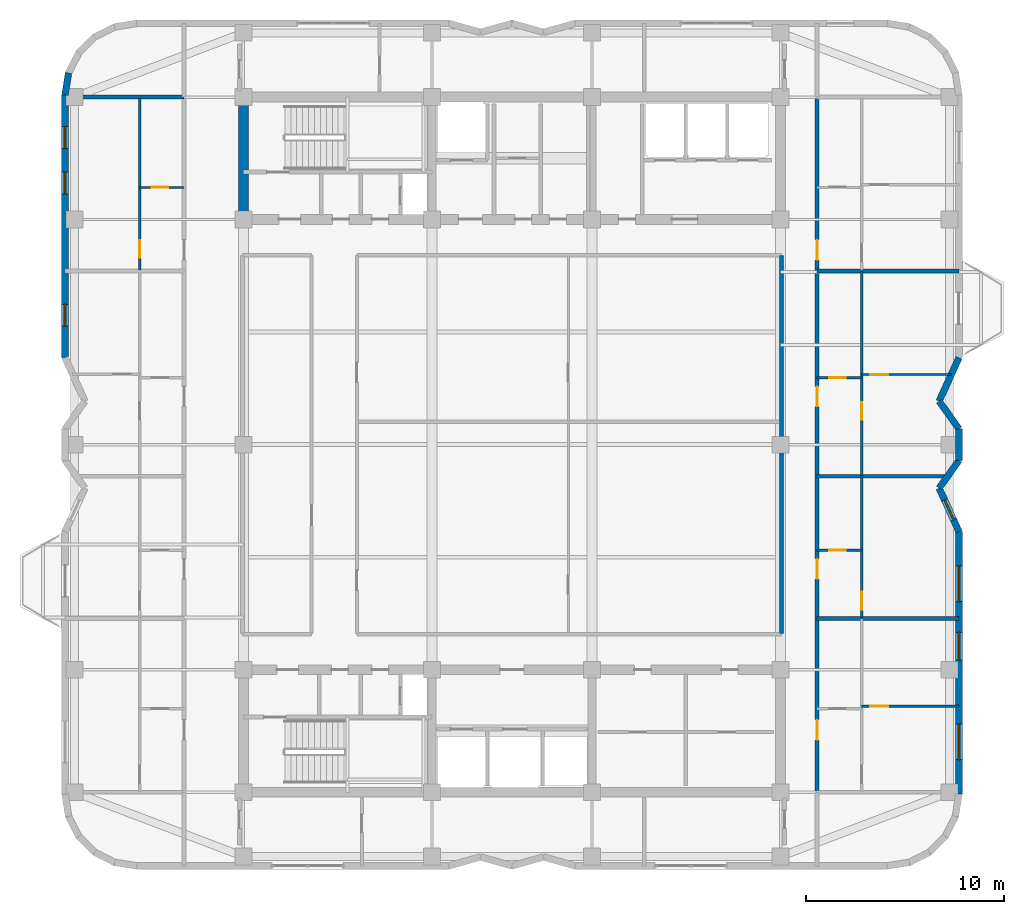
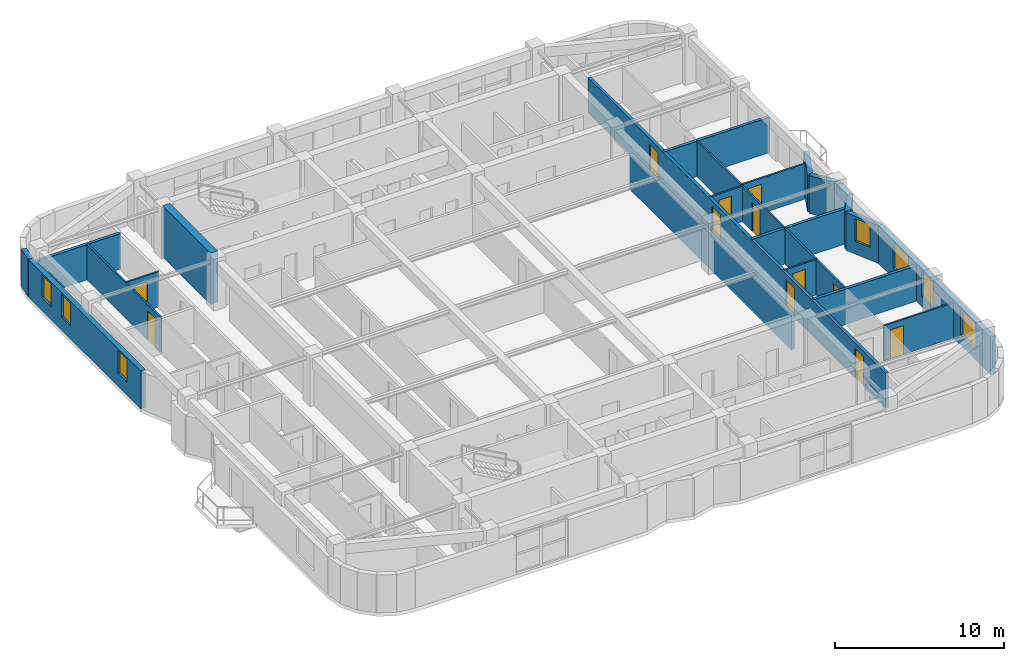
# One storey, part 10 of 14: 23 walls, 12 doors, 7 windows, 19 openings.
"""IFC4 building model written with IfcOpenShell, lengths in metres."""

from ifc_helpers import new_model, si_unit, direction, frame, frame_2d, origin, place, context, subcontext, project, spatial, rectangle, extrude, material, layer, layer_set, type_object, element, fill, save


model = new_model("IFC4")

# Units and contexts
model_context = context("Model", 3, precision=1e-05, world=origin(), true_north=direction((0.0, 1.0)))
body_context = subcontext(model_context, "Body", "Model", "MODEL_VIEW")
ifc_project = project(units=[si_unit("LENGTHUNIT", "METRE"), si_unit("AREAUNIT", "SQUARE_METRE"), si_unit("VOLUMEUNIT", "CUBIC_METRE"), si_unit("PLANEANGLEUNIT", "RADIAN"), si_unit("MASSUNIT", "GRAM", prefix="KILO")], contexts=[model_context])

# Site, building, storey
site_placement = place(None, origin())
site = spatial("IfcSite", under=ifc_project, at=site_placement, CompositionType="ELEMENT")
building_placement = place(site_placement, origin())
building = spatial("IfcBuilding", under=site, at=building_placement, Name="Svetorya Sky Lyceum", CompositionType="ELEMENT")
storey_placement = place(building_placement, frame((0.0, 0.0, 218.39990234375)))
storey = spatial("IfcBuildingStorey", under=building, at=storey_placement, Name="L54", CompositionType="ELEMENT", Elevation=218.39990234375)

# Wall
ifc_material_1 = material(Name="Concrete C50/60", Category="concrete")
ifc_layer_1 = layer(ifc_material_1, 0.5)
ifc_layer_set_1 = layer_set([ifc_layer_1], Name="Concrete C50/60")
wall_type_1 = type_object("IfcWallType", Name="WL-CORE-500", PredefinedType="SHEAR", material=ifc_layer_set_1)
wall_1_placement = place(storey_placement, frame((25.60009765625, 39.85009765625, 0.0), z_axis=(0.0, 0.0, 1.0), x_axis=(0.0, 1.0, 0.0)))
element("IfcWall", 1, at=wall_1_placement, inside=storey, type_object=wall_type_1, Name="L54 NC West Core Shear Wall", PredefinedType="SHEAR", context=body_context, shape_type="SweptSolid", body=[
    extrude(rectangle(XDim=5.699951171875, YDim=0.5, at=frame_2d((2.85009765625, 0.0))), origin(), (0.0, 0.0, 1.0), 3.7001953125),
])

# Wall, openings, windows
ifc_material_2 = material(Name="Putilovo limestone rainscreen on autoclaved cellular masonry", Category="masonry")
ifc_layer_2 = layer(ifc_material_2, 0.340087890625)
ifc_layer_set_2 = layer_set([ifc_layer_2], Name="Putilovo limestone rainscreen on autoclaved cellular masonry")
wall_type_2 = type_object("IfcWallType", Name="WL-EXT-340", PredefinedType="SOLIDWALL", material=ifc_layer_set_2)
wall_2_placement = place(storey_placement, frame((61.830078125, 10.5, 0.0), z_axis=(0.0, 0.0, 1.0), x_axis=(0.0, 1.0, 0.0)))
wall_2 = element("IfcWall", 2, at=wall_2_placement, inside=storey, type_object=wall_type_2, Name="L54 Limestone Exterior Wall 17M", PredefinedType="SOLIDWALL", context=body_context, shape_type="SweptSolid", body=[
    extrude(rectangle(XDim=13.300048828125, YDim=0.340087890625, at=frame_2d((6.64990234375, 0.0))), origin(), (0.0, 0.0, 1.0), 2.72021484375),
])
opening_1_placement = place(wall_2_placement, frame((1.75, 0.0, 0.75)))
opening_1 = element("IfcOpeningElement", 3, at=opening_1_placement, cuts=wall_2, Name="Opening W-R1", PredefinedType="OPENING", context=body_context, shape_type="SweptSolid", body=[
    extrude(rectangle(XDim=1.800048828125, YDim=1.85009765625, at=frame_2d((0.89990234375, 0.925048828125))), frame((0.0, 0.179931640625, 0.0), z_axis=(0.0, -1.0, 0.0), x_axis=(1.0, 0.0, 0.0)), (0.0, 0.0, 1.0), 0.360107421875),
])
opening_2_placement = place(wall_2_placement, frame((6.800048828125, 0.0, 0.7099609375)))
opening_2 = element("IfcOpeningElement", 4, at=opening_2_placement, cuts=wall_2, Name="Opening W-R2", PredefinedType="OPENING", context=body_context, shape_type="SweptSolid", body=[
    extrude(rectangle(XDim=1.39990234375, YDim=1.85009765625, at=frame_2d((0.699951171875, 0.925048828125))), frame((0.0, 0.179931640625, 0.0), z_axis=(0.0, -1.0, 0.0), x_axis=(1.0, 0.0, 0.0)), (0.0, 0.0, 1.0), 0.360107421875),
])
opening_3_placement = place(wall_2_placement, frame((9.75, 0.0, 0.75)))
opening_3 = element("IfcOpeningElement", 5, at=opening_3_placement, cuts=wall_2, Name="Opening W-R1", PredefinedType="OPENING", context=body_context, shape_type="SweptSolid", body=[
    extrude(rectangle(XDim=1.800048828125, YDim=1.85009765625, at=frame_2d((0.89990234375, 0.925048828125))), frame((0.0, 0.179931640625, 0.0), z_axis=(0.0, -1.0, 0.0), x_axis=(1.0, 0.0, 0.0)), (0.0, 0.0, 1.0), 0.360107421875),
])
ifc_material_3 = material(Name="Thermally broken aluminium frame with triple low-E glazing", Category="aluminium")
window_type_1 = type_object("IfcWindowType", Name="WN-RES-140", PartitioningType="SINGLE_PANEL", PredefinedType="WINDOW", material=ifc_material_3)
window_1_placement = place(opening_2_placement, origin())
window_1 = element("IfcWindow", 6, at=window_1_placement, inside=storey, type_object=window_type_1, Name="L54 Facade Window W-R2.17M.3", OverallHeight=1.85009765625, OverallWidth=1.39990234375, PartitioningType="SINGLE_PANEL", PredefinedType="WINDOW", context=body_context, shape_type="SweptSolid", body=[
    extrude(rectangle(XDim=1.39990234375, YDim=1.85009765625, at=frame_2d((0.699951171875, 0.925048828125))), frame((0.0, 0.030029296875, 0.0), z_axis=(0.0, -1.0, 0.0), x_axis=(1.0, 0.0, 0.0)), (0.0, 0.0, 1.0), 0.06005859375),
])
fill(opening_2, window_1)
window_type_2 = type_object("IfcWindowType", Name="WN-RES-180", PartitioningType="DOUBLE_PANEL_VERTICAL", PredefinedType="WINDOW", material=ifc_material_3)
window_2_placement = place(opening_1_placement, origin())
window_2 = element("IfcWindow", 7, at=window_2_placement, inside=storey, type_object=window_type_2, Name="L54 Facade Window W-R1.17M.1", OverallHeight=1.85009765625, OverallWidth=1.800048828125, PartitioningType="SINGLE_PANEL", PredefinedType="WINDOW", context=body_context, shape_type="SweptSolid", body=[
    extrude(rectangle(XDim=1.800048828125, YDim=1.85009765625, at=frame_2d((0.89990234375, 0.925048828125))), frame((0.0, 0.030029296875, 0.0), z_axis=(0.0, -1.0, 0.0), x_axis=(1.0, 0.0, 0.0)), (0.0, 0.0, 1.0), 0.06005859375),
])
fill(opening_1, window_2)
window_3_placement = place(opening_3_placement, origin())
window_3 = element("IfcWindow", 8, at=window_3_placement, inside=storey, type_object=window_type_2, Name="L54 Facade Window W-R1.17M.2", OverallHeight=1.85009765625, OverallWidth=1.800048828125, PartitioningType="SINGLE_PANEL", PredefinedType="WINDOW", context=body_context, shape_type="SweptSolid", body=[
    extrude(rectangle(XDim=1.800048828125, YDim=1.85009765625, at=frame_2d((0.89990234375, 0.925048828125))), frame((0.0, 0.030029296875, 0.0), z_axis=(0.0, -1.0, 0.0), x_axis=(1.0, 0.0, 0.0)), (0.0, 0.0, 1.0), 0.06005859375),
])
fill(opening_3, window_3)

# Wall, opening, window
wall_3_placement = place(storey_placement, frame((61.830078125, 23.800048828125, 0.0), z_axis=(0.0, 0.0, 1.0), x_axis=(-0.413810555983, 0.910363017569, 0.0)))
wall_3 = element("IfcWall", 9, at=wall_3_placement, inside=storey, type_object=wall_type_2, Name="L54 Limestone Exterior Wall 18M", PredefinedType="SOLIDWALL", context=body_context, shape_type="SweptSolid", body=[
    extrude(rectangle(XDim=2.41650390625, YDim=0.340087890625, at=frame_2d((1.208251953125, 0.0))), origin(), (0.0, 0.0, 1.0), 2.72021484375),
])
opening_4_placement = place(wall_3_placement, frame((0.658203125, 0.0, 0.909912109375)))
opening_4 = element("IfcOpeningElement", 10, at=opening_4_placement, cuts=wall_3, Name="Opening W-R3", PredefinedType="OPENING", context=body_context, shape_type="SweptSolid", body=[
    extrude(rectangle(XDim=1.10009765625, YDim=1.64990234375, at=frame_2d((0.550048828125, 0.824951171875))), frame((0.0, 0.179931640625, 0.0), z_axis=(0.0, -1.0, 0.0), x_axis=(1.0, 0.0, 0.0)), (0.0, 0.0, 1.0), 0.360107421875),
])
window_type_3 = type_object("IfcWindowType", Name="WN-RES-110", PartitioningType="SINGLE_PANEL", PredefinedType="WINDOW", material=ifc_material_3)
window_4_placement = place(opening_4_placement, origin())
window_4 = element("IfcWindow", 11, at=window_4_placement, inside=storey, type_object=window_type_3, Name="L54 Facade Window W-R3.18M.1", OverallHeight=1.64990234375, OverallWidth=1.10009765625, PartitioningType="SINGLE_PANEL", PredefinedType="WINDOW", context=body_context, shape_type="SweptSolid", body=[
    extrude(rectangle(XDim=1.10009765625, YDim=1.64990234375, at=frame_2d((0.550048828125, 0.824951171875))), frame((0.0, 0.030029296875, 0.0), z_axis=(0.0, -1.0, 0.0), x_axis=(1.0, 0.0, 0.0)), (0.0, 0.0, 1.0), 0.06005859375),
])
fill(opening_4, window_4)

# Walls
wall_4_placement = place(storey_placement, frame((60.830078125, 26.0, 0.0), z_axis=(0.0, 0.0, 1.0), x_axis=(0.581265041318, 0.813714293681, 0.0)))
element("IfcWall", 12, at=wall_4_placement, inside=storey, type_object=wall_type_2, Name="L54 Limestone Exterior Wall 19M", PredefinedType="SOLIDWALL", context=body_context, shape_type="SweptSolid", body=[
    extrude(rectangle(XDim=1.720458984375, YDim=0.340087890625, at=frame_2d((0.8603515625, 0.0))), origin(), (0.0, 0.0, 1.0), 2.72021484375),
])
wall_5_placement = place(storey_placement, frame((61.830078125, 27.39990234375, 0.0), z_axis=(0.0, 0.0, 1.0), x_axis=(0.0, 1.0, 0.0)))
element("IfcWall", 13, at=wall_5_placement, inside=storey, type_object=wall_type_2, Name="L54 Limestone Exterior Wall 20M", PredefinedType="SOLIDWALL", context=body_context, shape_type="SweptSolid", body=[
    extrude(rectangle(XDim=1.60009765625, YDim=0.340087890625, at=frame_2d((0.800048828125, 0.0))), origin(), (0.0, 0.0, 1.0), 2.72021484375),
])
wall_6_placement = place(storey_placement, frame((61.830078125, 29.0, 0.0), z_axis=(0.0, 0.0, 1.0), x_axis=(-0.581265041318, 0.813714293681, 0.0)))
element("IfcWall", 14, at=wall_6_placement, inside=storey, type_object=wall_type_2, Name="L54 Limestone Exterior Wall 21M", PredefinedType="SOLIDWALL", context=body_context, shape_type="SweptSolid", body=[
    extrude(rectangle(XDim=1.720458984375, YDim=0.340087890625, at=frame_2d((0.8603515625, 0.0))), origin(), (0.0, 0.0, 1.0), 2.72021484375),
])
wall_7_placement = place(storey_placement, frame((60.830078125, 30.39990234375, 0.0), z_axis=(0.0, 0.0, 1.0), x_axis=(0.413772500085, 0.910380315128, 0.0)))
element("IfcWall", 15, at=wall_7_placement, inside=storey, type_object=wall_type_2, Name="L54 Limestone Exterior Wall 22M", PredefinedType="SOLIDWALL", context=body_context, shape_type="SweptSolid", body=[
    extrude(rectangle(XDim=2.416748046875, YDim=0.340087890625, at=frame_2d((1.20849609375, 0.0))), origin(), (0.0, 0.0, 1.0), 2.72021484375),
])
wall_8_placement = place(storey_placement, frame((16.747802734375, 47.021728515625, 0.0), z_axis=(0.0, 0.0, 1.0), x_axis=(-0.156481329164, -0.987680916907, 0.0)))
element("IfcWall", 16, at=wall_8_placement, inside=storey, type_object=wall_type_2, Name="L54 Limestone Exterior Wall 39M", PredefinedType="SOLIDWALL", context=body_context, shape_type="SweptSolid", body=[
    extrude(rectangle(XDim=1.1357421875, YDim=0.340087890625, at=frame_2d((0.56787109375, 0.0))), origin(), (0.0, 0.0, 1.0), 2.72021484375),
])

# Wall, openings, windows
wall_9_placement = place(storey_placement, frame((16.570068359375, 45.89990234375, 0.0), z_axis=(0.0, 0.0, 1.0), x_axis=(0.0, -1.0, 0.0)))
wall_9 = element("IfcWall", 17, at=wall_9_placement, inside=storey, type_object=wall_type_2, Name="L54 Limestone Exterior Wall 40M", PredefinedType="SOLIDWALL", context=body_context, shape_type="SweptSolid", body=[
    extrude(rectangle(XDim=13.2998046875, YDim=0.340087890625, at=frame_2d((6.64990234375, 0.0))), origin(), (0.0, 0.0, 1.0), 2.72021484375),
])
opening_5_placement = place(wall_9_placement, frame((1.60009765625, 0.0, 0.949951171875)))
opening_5 = element("IfcOpeningElement", 18, at=opening_5_placement, cuts=wall_9, Name="Opening W-R3", PredefinedType="OPENING", context=body_context, shape_type="SweptSolid", body=[
    extrude(rectangle(XDim=1.10009765625, YDim=1.64990234375, at=frame_2d((0.550048828125, 0.824951171875))), frame((0.0, 0.179931640625, 0.0), z_axis=(0.0, -1.0, 0.0), x_axis=(1.0, 0.0, 0.0)), (0.0, 0.0, 1.0), 0.360107421875),
])
opening_6_placement = place(wall_9_placement, frame((3.89990234375, 0.0, 0.949951171875)))
opening_6 = element("IfcOpeningElement", 19, at=opening_6_placement, cuts=wall_9, Name="Opening W-R3", PredefinedType="OPENING", context=body_context, shape_type="SweptSolid", body=[
    extrude(rectangle(XDim=1.10009765625, YDim=1.64990234375, at=frame_2d((0.550048828125, 0.824951171875))), frame((0.0, 0.179931640625, 0.0), z_axis=(0.0, -1.0, 0.0), x_axis=(1.0, 0.0, 0.0)), (0.0, 0.0, 1.0), 0.360107421875),
])
opening_7_placement = place(wall_9_placement, frame((10.60009765625, 0.0, 0.949951171875)))
opening_7 = element("IfcOpeningElement", 20, at=opening_7_placement, cuts=wall_9, Name="Opening W-R3", PredefinedType="OPENING", context=body_context, shape_type="SweptSolid", body=[
    extrude(rectangle(XDim=1.10009765625, YDim=1.64990234375, at=frame_2d((0.550048828125, 0.824951171875))), frame((0.0, 0.179931640625, 0.0), z_axis=(0.0, -1.0, 0.0), x_axis=(1.0, 0.0, 0.0)), (0.0, 0.0, 1.0), 0.360107421875),
])
window_5_placement = place(opening_5_placement, origin())
window_5 = element("IfcWindow", 21, at=window_5_placement, inside=storey, type_object=window_type_3, Name="L54 Facade Window W-R3.40M.1", OverallHeight=1.64990234375, OverallWidth=1.10009765625, PartitioningType="SINGLE_PANEL", PredefinedType="WINDOW", context=body_context, shape_type="SweptSolid", body=[
    extrude(rectangle(XDim=1.10009765625, YDim=1.64990234375, at=frame_2d((0.550048828125, 0.824951171875))), frame((0.0, 0.030029296875, 0.0), z_axis=(0.0, -1.0, 0.0), x_axis=(1.0, 0.0, 0.0)), (0.0, 0.0, 1.0), 0.06005859375),
])
fill(opening_5, window_5)
window_6_placement = place(opening_6_placement, origin())
window_6 = element("IfcWindow", 22, at=window_6_placement, inside=storey, type_object=window_type_3, Name="L54 Facade Window W-R3.40M.2", OverallHeight=1.64990234375, OverallWidth=1.10009765625, PartitioningType="SINGLE_PANEL", PredefinedType="WINDOW", context=body_context, shape_type="SweptSolid", body=[
    extrude(rectangle(XDim=1.10009765625, YDim=1.64990234375, at=frame_2d((0.550048828125, 0.824951171875))), frame((0.0, 0.030029296875, 0.0), z_axis=(0.0, -1.0, 0.0), x_axis=(1.0, 0.0, 0.0)), (0.0, 0.0, 1.0), 0.06005859375),
])
fill(opening_6, window_6)
window_7_placement = place(opening_7_placement, origin())
window_7 = element("IfcWindow", 23, at=window_7_placement, inside=storey, type_object=window_type_3, Name="L54 Facade Window W-R3.40M.3", OverallHeight=1.64990234375, OverallWidth=1.10009765625, PartitioningType="SINGLE_PANEL", PredefinedType="WINDOW", context=body_context, shape_type="SweptSolid", body=[
    extrude(rectangle(XDim=1.10009765625, YDim=1.64990234375, at=frame_2d((0.550048828125, 0.824951171875))), frame((0.0, 0.030029296875, 0.0), z_axis=(0.0, -1.0, 0.0), x_axis=(1.0, 0.0, 0.0)), (0.0, 0.0, 1.0), 0.06005859375),
])
fill(opening_7, window_7)

# Wall, opening, door
ifc_material_4 = material(Name="Twin-stud galvanized framing with double fireboard", Category="gypsum")
ifc_layer_3 = layer(ifc_material_4, 0.1201171875)
ifc_layer_set_3 = layer_set([ifc_layer_3], Name="Twin-stud galvanized framing with double fireboard")
wall_type_3 = type_object("IfcWallType", Name="WL-PART-120", PredefinedType="PARTITIONING", material=ifc_layer_set_3)
wall_10_placement = place(storey_placement, frame((20.35009765625, 41.219970703125, 0.0), z_axis=(0.0, 0.0, 1.0), x_axis=(1.0, 0.0, 0.0)))
wall_10 = element("IfcWall", 24, at=wall_10_placement, inside=storey, type_object=wall_type_3, Name="L54 Interior Partition W4-WH1", PredefinedType="PARTITIONING", context=body_context, shape_type="SweptSolid", body=[
    extrude(rectangle(XDim=2.25, YDim=0.1201171875, at=frame_2d((1.125, 0.0))), origin(), (0.0, 0.0, 1.0), 2.550048828125),
])
opening_8_placement = place(wall_10_placement, frame((0.60009765625, 0.0, 0.0)))
opening_8 = element("IfcOpeningElement", 25, at=opening_8_placement, cuts=wall_10, Name="Opening D-BT1", PredefinedType="OPENING", context=body_context, shape_type="SweptSolid", body=[
    extrude(rectangle(XDim=0.85009765625, YDim=2.10009765625, at=frame_2d((0.425048828125, 1.050048828125))), frame((0.0, 0.070068359375, 0.0), z_axis=(0.0, -1.0, 0.0), x_axis=(1.0, 0.0, 0.0)), (0.0, 0.0, 1.0), 0.14013671875),
])
ifc_material_5 = material(Name="Moisture-resistant laminate bathroom door")
door_type_1 = type_object("IfcDoorType", Name="DR-WET-850", OperationType="SINGLE_SWING_LEFT", PredefinedType="DOOR", material=ifc_material_5)
door_1_placement = place(opening_8_placement, origin())
door_1 = element("IfcDoor", 26, at=door_1_placement, inside=storey, type_object=door_type_1, Name="Apartment W4 Bathroom Door", OperationType="SINGLE_SWING_RIGHT", OverallHeight=2.10009765625, OverallWidth=0.85009765625, PredefinedType="DOOR", context=body_context, shape_type="SweptSolid", body=[
    extrude(rectangle(XDim=0.85009765625, YDim=2.10009765625, at=frame_2d((0.425048828125, 1.050048828125))), frame((0.0, 0.02490234375, 0.0), z_axis=(0.0, -1.0, 0.0), x_axis=(1.0, 0.0, 0.0)), (0.0, 0.0, 1.0), 0.050048828125),
])
fill(opening_8, door_1)

wall_11_placement = place(storey_placement, frame((20.35009765625, 37.0400390625, 0.0), z_axis=(0.0, 0.0, 1.0), x_axis=(0.0, 1.0, 0.0)))
wall_11 = element("IfcWall", 27, at=wall_11_placement, inside=storey, type_object=wall_type_3, Name="L54 Interior Partition W4-WV", PredefinedType="PARTITIONING", context=body_context, shape_type="SweptSolid", body=[
    extrude(rectangle(XDim=8.719970703125, YDim=0.1201171875, at=frame_2d((4.35986328125, 0.0))), origin(), (0.0, 0.0, 1.0), 2.550048828125),
])
opening_9_placement = place(wall_11_placement, frame((0.610107421875, 0.0, 0.0)))
opening_9 = element("IfcOpeningElement", 28, at=opening_9_placement, cuts=wall_11, Name="Opening D-RM1", PredefinedType="OPENING", context=body_context, shape_type="SweptSolid", body=[
    extrude(rectangle(XDim=0.89990234375, YDim=2.10009765625, at=frame_2d((0.449951171875, 1.050048828125))), frame((0.0, 0.070068359375, 0.0), z_axis=(0.0, -1.0, 0.0), x_axis=(1.0, 0.0, 0.0)), (0.0, 0.0, 1.0), 0.14013671875),
])
ifc_material_6 = material(Name="Lacquered birch veneer internal door")
door_type_2 = type_object("IfcDoorType", Name="DR-INT-900", OperationType="SINGLE_SWING_LEFT", PredefinedType="DOOR", material=ifc_material_6)
door_2_placement = place(opening_9_placement, origin())
door_2 = element("IfcDoor", 29, at=door_2_placement, inside=storey, type_object=door_type_2, Name="Apartment W4 Living Door", OperationType="SINGLE_SWING_LEFT", OverallHeight=2.10009765625, OverallWidth=0.89990234375, PredefinedType="DOOR", context=body_context, shape_type="SweptSolid", body=[
    extrude(rectangle(XDim=0.89990234375, YDim=2.10009765625, at=frame_2d((0.449951171875, 1.050048828125))), frame((0.0, 0.02490234375, 0.0), z_axis=(0.0, -1.0, 0.0), x_axis=(1.0, 0.0, 0.0)), (0.0, 0.0, 1.0), 0.050048828125),
])
fill(opening_9, door_2)

wall_12_placement = place(storey_placement, frame((56.89990234375, 14.949951171875, 0.0), z_axis=(0.0, 0.0, 1.0), x_axis=(1.0, 0.0, 0.0)))
wall_12 = element("IfcWall", 30, at=wall_12_placement, inside=storey, type_object=wall_type_3, Name="L54 Interior Partition E1-WL1", PredefinedType="PARTITIONING", context=body_context, shape_type="SweptSolid", body=[
    extrude(rectangle(XDim=4.93017578125, YDim=0.1201171875, at=frame_2d((2.465087890625, 0.0))), origin(), (0.0, 0.0, 1.0), 2.550048828125),
])
opening_10_placement = place(wall_12_placement, frame((0.449951171875, 0.0, 0.0)))
opening_10 = element("IfcOpeningElement", 31, at=opening_10_placement, cuts=wall_12, Name="Opening D-RM1", PredefinedType="OPENING", context=body_context, shape_type="SweptSolid", body=[
    extrude(rectangle(XDim=0.89990234375, YDim=2.10009765625, at=frame_2d((0.449951171875, 1.050048828125))), frame((0.0, 0.070068359375, 0.0), z_axis=(0.0, -1.0, 0.0), x_axis=(1.0, 0.0, 0.0)), (0.0, 0.0, 1.0), 0.14013671875),
])
door_3_placement = place(opening_10_placement, origin())
door_3 = element("IfcDoor", 32, at=door_3_placement, inside=storey, type_object=door_type_2, Name="Apartment E1 Bedroom 1 Door", OperationType="SINGLE_SWING_RIGHT", OverallHeight=2.10009765625, OverallWidth=0.89990234375, PredefinedType="DOOR", context=body_context, shape_type="SweptSolid", body=[
    extrude(rectangle(XDim=0.89990234375, YDim=2.10009765625, at=frame_2d((0.449951171875, 1.050048828125))), frame((0.0, 0.02490234375, 0.0), z_axis=(0.0, -1.0, 0.0), x_axis=(1.0, 0.0, 0.0)), (0.0, 0.0, 1.0), 0.050048828125),
])
fill(opening_10, door_3)

wall_13_placement = place(storey_placement, frame((54.64990234375, 22.860107421875, 0.0), z_axis=(0.0, 0.0, 1.0), x_axis=(1.0, 0.0, 0.0)))
wall_13 = element("IfcWall", 33, at=wall_13_placement, inside=storey, type_object=wall_type_3, Name="L54 Interior Partition E2-WH1", PredefinedType="PARTITIONING", context=body_context, shape_type="SweptSolid", body=[
    extrude(rectangle(XDim=2.25, YDim=0.1201171875, at=frame_2d((1.125, 0.0))), origin(), (0.0, 0.0, 1.0), 2.550048828125),
])
opening_11_placement = place(wall_13_placement, frame((0.60009765625, 0.0, 0.0)))
opening_11 = element("IfcOpeningElement", 34, at=opening_11_placement, cuts=wall_13, Name="Opening D-BT1", PredefinedType="OPENING", context=body_context, shape_type="SweptSolid", body=[
    extrude(rectangle(XDim=0.85009765625, YDim=2.10009765625, at=frame_2d((0.425048828125, 1.050048828125))), frame((0.0, 0.070068359375, 0.0), z_axis=(0.0, -1.0, 0.0), x_axis=(1.0, 0.0, 0.0)), (0.0, 0.0, 1.0), 0.14013671875),
])
door_4_placement = place(opening_11_placement, origin())
door_4 = element("IfcDoor", 35, at=door_4_placement, inside=storey, type_object=door_type_1, Name="Apartment E2 Bathroom Door", OperationType="SINGLE_SWING_LEFT", OverallHeight=2.10009765625, OverallWidth=0.85009765625, PredefinedType="DOOR", context=body_context, shape_type="SweptSolid", body=[
    extrude(rectangle(XDim=0.85009765625, YDim=2.10009765625, at=frame_2d((0.425048828125, 1.050048828125))), frame((0.0, 0.02490234375, 0.0), z_axis=(0.0, -1.0, 0.0), x_axis=(1.0, 0.0, 0.0)), (0.0, 0.0, 1.0), 0.050048828125),
])
fill(opening_11, door_4)

wall_14_placement = place(storey_placement, frame((56.89990234375, 19.43994140625, 0.0), z_axis=(0.0, 0.0, 1.0), x_axis=(0.0, 1.0, 0.0)))
wall_14 = element("IfcWall", 36, at=wall_14_placement, inside=storey, type_object=wall_type_3, Name="L54 Interior Partition E2-WV", PredefinedType="PARTITIONING", context=body_context, shape_type="SweptSolid", body=[
    extrude(rectangle(XDim=7.1201171875, YDim=0.1201171875, at=frame_2d((3.56005859375, 0.0))), origin(), (0.0, 0.0, 1.0), 2.550048828125),
])
opening_12_placement = place(wall_14_placement, frame((0.409912109375, 0.0, 0.0)))
opening_12 = element("IfcOpeningElement", 37, at=opening_12_placement, cuts=wall_14, Name="Opening D-RM1", PredefinedType="OPENING", context=body_context, shape_type="SweptSolid", body=[
    extrude(rectangle(XDim=0.89990234375, YDim=2.10009765625, at=frame_2d((0.449951171875, 1.050048828125))), frame((0.0, 0.070068359375, 0.0), z_axis=(0.0, -1.0, 0.0), x_axis=(1.0, 0.0, 0.0)), (0.0, 0.0, 1.0), 0.14013671875),
])
door_5_placement = place(opening_12_placement, origin())
door_5 = element("IfcDoor", 38, at=door_5_placement, inside=storey, type_object=door_type_2, Name="Apartment E2 Living Door", OperationType="SINGLE_SWING_RIGHT", OverallHeight=2.10009765625, OverallWidth=0.89990234375, PredefinedType="DOOR", context=body_context, shape_type="SweptSolid", body=[
    extrude(rectangle(XDim=0.89990234375, YDim=2.10009765625, at=frame_2d((0.449951171875, 1.050048828125))), frame((0.0, 0.02490234375, 0.0), z_axis=(0.0, -1.0, 0.0), x_axis=(1.0, 0.0, 0.0)), (0.0, 0.0, 1.0), 0.050048828125),
])
fill(opening_12, door_5)

wall_15_placement = place(storey_placement, frame((54.64990234375, 31.590087890625, 0.0), z_axis=(0.0, 0.0, 1.0), x_axis=(1.0, 0.0, 0.0)))
wall_15 = element("IfcWall", 39, at=wall_15_placement, inside=storey, type_object=wall_type_3, Name="L54 Interior Partition E3-WH1", PredefinedType="PARTITIONING", context=body_context, shape_type="SweptSolid", body=[
    extrude(rectangle(XDim=2.25, YDim=0.1201171875, at=frame_2d((1.125, 0.0))), origin(), (0.0, 0.0, 1.0), 2.550048828125),
])
opening_13_placement = place(wall_15_placement, frame((0.60009765625, 0.0, 0.0)))
opening_13 = element("IfcOpeningElement", 40, at=opening_13_placement, cuts=wall_15, Name="Opening D-BT1", PredefinedType="OPENING", context=body_context, shape_type="SweptSolid", body=[
    extrude(rectangle(XDim=0.85009765625, YDim=2.10009765625, at=frame_2d((0.425048828125, 1.050048828125))), frame((0.0, 0.070068359375, 0.0), z_axis=(0.0, -1.0, 0.0), x_axis=(1.0, 0.0, 0.0)), (0.0, 0.0, 1.0), 0.14013671875),
])
door_6_placement = place(opening_13_placement, origin())
door_6 = element("IfcDoor", 41, at=door_6_placement, inside=storey, type_object=door_type_1, Name="Apartment E3 Bathroom Door", OperationType="SINGLE_SWING_RIGHT", OverallHeight=2.10009765625, OverallWidth=0.85009765625, PredefinedType="DOOR", context=body_context, shape_type="SweptSolid", body=[
    extrude(rectangle(XDim=0.85009765625, YDim=2.10009765625, at=frame_2d((0.425048828125, 1.050048828125))), frame((0.0, 0.02490234375, 0.0), z_axis=(0.0, -1.0, 0.0), x_axis=(1.0, 0.0, 0.0)), (0.0, 0.0, 1.0), 0.050048828125),
])
fill(opening_13, door_6)

wall_16_placement = place(storey_placement, frame((56.89990234375, 31.75, 0.0), z_axis=(0.0, 0.0, 1.0), x_axis=(1.0, 0.0, 0.0)))
wall_16 = element("IfcWall", 42, at=wall_16_placement, inside=storey, type_object=wall_type_3, Name="L54 Interior Partition E3-WL1", PredefinedType="PARTITIONING", context=body_context, shape_type="SweptSolid", body=[
    extrude(rectangle(XDim=4.543701171875, YDim=0.1201171875, at=frame_2d((2.27197265625, 0.0))), origin(), (0.0, 0.0, 1.0), 2.550048828125),
])
opening_14_placement = place(wall_16_placement, frame((0.449951171875, 0.0, 0.0)))
opening_14 = element("IfcOpeningElement", 43, at=opening_14_placement, cuts=wall_16, Name="Opening D-RM1", PredefinedType="OPENING", context=body_context, shape_type="SweptSolid", body=[
    extrude(rectangle(XDim=0.89990234375, YDim=2.10009765625, at=frame_2d((0.449951171875, 1.050048828125))), frame((0.0, 0.070068359375, 0.0), z_axis=(0.0, -1.0, 0.0), x_axis=(1.0, 0.0, 0.0)), (0.0, 0.0, 1.0), 0.14013671875),
])
door_7_placement = place(opening_14_placement, origin())
door_7 = element("IfcDoor", 44, at=door_7_placement, inside=storey, type_object=door_type_2, Name="Apartment E3 Bedroom 1 Door", OperationType="SINGLE_SWING_RIGHT", OverallHeight=2.10009765625, OverallWidth=0.89990234375, PredefinedType="DOOR", context=body_context, shape_type="SweptSolid", body=[
    extrude(rectangle(XDim=0.89990234375, YDim=2.10009765625, at=frame_2d((0.449951171875, 1.050048828125))), frame((0.0, 0.02490234375, 0.0), z_axis=(0.0, -1.0, 0.0), x_axis=(1.0, 0.0, 0.0)), (0.0, 0.0, 1.0), 0.050048828125),
])
fill(opening_14, door_7)

wall_17_placement = place(storey_placement, frame((56.89990234375, 26.639892578125, 0.0), z_axis=(0.0, 0.0, 1.0), x_axis=(0.0, 1.0, 0.0)))
wall_17 = element("IfcWall", 45, at=wall_17_placement, inside=storey, type_object=wall_type_3, Name="L54 Interior Partition E3-WV", PredefinedType="PARTITIONING", context=body_context, shape_type="SweptSolid", body=[
    extrude(rectangle(XDim=10.320068359375, YDim=0.1201171875, at=frame_2d((5.16015625, 0.0))), origin(), (0.0, 0.0, 1.0), 2.550048828125),
])
opening_15_placement = place(wall_17_placement, frame((2.81005859375, 0.0, 0.0)))
opening_15 = element("IfcOpeningElement", 46, at=opening_15_placement, cuts=wall_17, Name="Opening D-RM1", PredefinedType="OPENING", context=body_context, shape_type="SweptSolid", body=[
    extrude(rectangle(XDim=0.89990234375, YDim=2.10009765625, at=frame_2d((0.449951171875, 1.050048828125))), frame((0.0, 0.070068359375, 0.0), z_axis=(0.0, -1.0, 0.0), x_axis=(1.0, 0.0, 0.0)), (0.0, 0.0, 1.0), 0.14013671875),
])
door_8_placement = place(opening_15_placement, origin())
door_8 = element("IfcDoor", 47, at=door_8_placement, inside=storey, type_object=door_type_2, Name="Apartment E3 Living Door", OperationType="SINGLE_SWING_LEFT", OverallHeight=2.10009765625, OverallWidth=0.89990234375, PredefinedType="DOOR", context=body_context, shape_type="SweptSolid", body=[
    extrude(rectangle(XDim=0.89990234375, YDim=2.10009765625, at=frame_2d((0.449951171875, 1.050048828125))), frame((0.0, 0.02490234375, 0.0), z_axis=(0.0, -1.0, 0.0), x_axis=(1.0, 0.0, 0.0)), (0.0, 0.0, 1.0), 0.050048828125),
])
fill(opening_15, door_8)

# Walls
ifc_material_7 = material(Name="Autoclaved cellular masonry blockwork with gypsum plaster", Category="masonry")
ifc_layer_4 = layer(ifc_material_7, 0.199951171875)
ifc_layer_set_4 = layer_set([ifc_layer_4], Name="Autoclaved cellular masonry blockwork with gypsum plaster")
wall_type_4 = type_object("IfcWallType", Name="WL-PART-200", PredefinedType="PARTITIONING", material=ifc_layer_set_4)
wall_18_placement = place(storey_placement, frame((52.85009765625, 18.6298828125, 0.0), z_axis=(0.0, 0.0, 1.0), x_axis=(0.0, 1.0, 0.0)))
element("IfcWall", 48, at=wall_18_placement, inside=storey, type_object=wall_type_4, Name="L54 Interior Partition E-CEN-SEP", PredefinedType="PARTITIONING", context=body_context, shape_type="SweptSolid", body=[
    extrude(rectangle(XDim=19.14013671875, YDim=0.199951171875, at=frame_2d((9.570068359375, 0.0))), origin(), (0.0, 0.0, 1.0), 2.550048828125),
])
wall_19_placement = place(storey_placement, frame((16.989990234375, 45.800048828125, 0.0), z_axis=(0.0, 0.0, 1.0), x_axis=(1.0, 0.0, 0.0)))
element("IfcWall", 49, at=wall_19_placement, inside=storey, type_object=wall_type_4, Name="L54 Interior Partition W-CAP-N", PredefinedType="PARTITIONING", context=body_context, shape_type="SweptSolid", body=[
    extrude(rectangle(XDim=5.610107421875, YDim=0.199951171875, at=frame_2d((2.80517578125, 0.0))), origin(), (0.0, 0.0, 1.0), 2.550048828125),
])
wall_20_placement = place(storey_placement, frame((54.64990234375, 19.39990234375, 0.0), z_axis=(0.0, 0.0, 1.0), x_axis=(1.0, 0.0, 0.0)))
element("IfcWall", 50, at=wall_20_placement, inside=storey, type_object=wall_type_4, Name="L54 Interior Partition E-PARTY-1", PredefinedType="PARTITIONING", context=body_context, shape_type="SweptSolid", body=[
    extrude(rectangle(XDim=7.18017578125, YDim=0.199951171875, at=frame_2d((3.590087890625, 0.0))), origin(), (0.0, 0.0, 1.0), 2.550048828125),
])
wall_21_placement = place(storey_placement, frame((54.64990234375, 26.60009765625, 0.0), z_axis=(0.0, 0.0, 1.0), x_axis=(1.0, 0.0, 0.0)))
element("IfcWall", 51, at=wall_21_placement, inside=storey, type_object=wall_type_4, Name="L54 Interior Partition E-PARTY-2", PredefinedType="PARTITIONING", context=body_context, shape_type="SweptSolid", body=[
    extrude(rectangle(XDim=6.608642578125, YDim=0.199951171875, at=frame_2d((3.30419921875, 0.0))), origin(), (0.0, 0.0, 1.0), 2.550048828125),
])
wall_22_placement = place(storey_placement, frame((54.64990234375, 37.0, 0.0), z_axis=(0.0, 0.0, 1.0), x_axis=(1.0, 0.0, 0.0)))
element("IfcWall", 52, at=wall_22_placement, inside=storey, type_object=wall_type_4, Name="L54 Interior Partition E-PARTY-3", PredefinedType="PARTITIONING", context=body_context, shape_type="SweptSolid", body=[
    extrude(rectangle(XDim=7.18017578125, YDim=0.199951171875, at=frame_2d((3.590087890625, 0.0))), origin(), (0.0, 0.0, 1.0), 2.550048828125),
])

# Wall, openings, doors
wall_23_placement = place(storey_placement, frame((54.64990234375, 10.60009765625, 0.0), z_axis=(0.0, 0.0, 1.0), x_axis=(0.0, 1.0, 0.0)))
wall_23 = element("IfcWall", 53, at=wall_23_placement, inside=storey, type_object=wall_type_4, Name="L54 Interior Partition E-CORRW", PredefinedType="PARTITIONING", context=body_context, shape_type="SweptSolid", body=[
    extrude(rectangle(XDim=35.199951171875, YDim=0.199951171875, at=frame_2d((17.60009765625, 0.0))), origin(), (0.0, 0.0, 1.0), 2.550048828125),
])
opening_16_placement = place(wall_23_placement, frame((2.64990234375, 0.0, 0.0)))
opening_16 = element("IfcOpeningElement", 54, at=opening_16_placement, cuts=wall_23, Name="Opening D-APT1", PredefinedType="OPENING", context=body_context, shape_type="SweptSolid", body=[
    extrude(rectangle(XDim=1.0, YDim=2.14990234375, at=frame_2d((0.5, 1.074951171875))), frame((0.0, 0.10986328125, 0.0), z_axis=(0.0, -1.0, 0.0), x_axis=(1.0, 0.0, 0.0)), (0.0, 0.0, 1.0), 0.219970703125),
])
opening_17_placement = place(wall_23_placement, frame((10.81005859375, 0.0, 0.0)))
opening_17 = element("IfcOpeningElement", 55, at=opening_17_placement, cuts=wall_23, Name="Opening D-APT1", PredefinedType="OPENING", context=body_context, shape_type="SweptSolid", body=[
    extrude(rectangle(XDim=1.0, YDim=2.14990234375, at=frame_2d((0.5, 1.074951171875))), frame((0.0, 0.10986328125, 0.0), z_axis=(0.0, -1.0, 0.0), x_axis=(1.0, 0.0, 0.0)), (0.0, 0.0, 1.0), 0.219970703125),
])
opening_18_placement = place(wall_23_placement, frame((19.5400390625, 0.0, 0.0)))
opening_18 = element("IfcOpeningElement", 56, at=opening_18_placement, cuts=wall_23, Name="Opening D-APT1", PredefinedType="OPENING", context=body_context, shape_type="SweptSolid", body=[
    extrude(rectangle(XDim=1.0, YDim=2.14990234375, at=frame_2d((0.5, 1.074951171875))), frame((0.0, 0.10986328125, 0.0), z_axis=(0.0, -1.0, 0.0), x_axis=(1.0, 0.0, 0.0)), (0.0, 0.0, 1.0), 0.219970703125),
])
opening_19_placement = place(wall_23_placement, frame((26.949951171875, 0.0, 0.0)))
opening_19 = element("IfcOpeningElement", 57, at=opening_19_placement, cuts=wall_23, Name="Opening D-APT1", PredefinedType="OPENING", context=body_context, shape_type="SweptSolid", body=[
    extrude(rectangle(XDim=1.0, YDim=2.14990234375, at=frame_2d((0.5, 1.074951171875))), frame((0.0, 0.10986328125, 0.0), z_axis=(0.0, -1.0, 0.0), x_axis=(1.0, 0.0, 0.0)), (0.0, 0.0, 1.0), 0.219970703125),
])
ifc_material_8 = material(Name="Insulated oak-veneered apartment entrance door")
door_type_3 = type_object("IfcDoorType", Name="DR-APT-1000", OperationType="SINGLE_SWING_LEFT", PredefinedType="DOOR", material=ifc_material_8)
door_9_placement = place(opening_16_placement, origin())
door_9 = element("IfcDoor", 58, at=door_9_placement, inside=storey, type_object=door_type_3, Name="L54 Apartment E1 Entrance Door", OperationType="SINGLE_SWING_RIGHT", OverallHeight=2.14990234375, OverallWidth=1.0, PredefinedType="DOOR", context=body_context, shape_type="SweptSolid", body=[
    extrude(rectangle(XDim=1.0, YDim=2.14990234375, at=frame_2d((0.5, 1.074951171875))), frame((0.0, 0.02490234375, 0.0), z_axis=(0.0, -1.0, 0.0), x_axis=(1.0, 0.0, 0.0)), (0.0, 0.0, 1.0), 0.050048828125),
])
fill(opening_16, door_9)
door_10_placement = place(opening_17_placement, origin())
door_10 = element("IfcDoor", 59, at=door_10_placement, inside=storey, type_object=door_type_3, Name="L54 Apartment E2 Entrance Door", OperationType="SINGLE_SWING_LEFT", OverallHeight=2.14990234375, OverallWidth=1.0, PredefinedType="DOOR", context=body_context, shape_type="SweptSolid", body=[
    extrude(rectangle(XDim=1.0, YDim=2.14990234375, at=frame_2d((0.5, 1.074951171875))), frame((0.0, 0.02490234375, 0.0), z_axis=(0.0, -1.0, 0.0), x_axis=(1.0, 0.0, 0.0)), (0.0, 0.0, 1.0), 0.050048828125),
])
fill(opening_17, door_10)
door_11_placement = place(opening_18_placement, origin())
door_11 = element("IfcDoor", 60, at=door_11_placement, inside=storey, type_object=door_type_3, Name="L54 Apartment E3 Entrance Door", OperationType="SINGLE_SWING_RIGHT", OverallHeight=2.14990234375, OverallWidth=1.0, PredefinedType="DOOR", context=body_context, shape_type="SweptSolid", body=[
    extrude(rectangle(XDim=1.0, YDim=2.14990234375, at=frame_2d((0.5, 1.074951171875))), frame((0.0, 0.02490234375, 0.0), z_axis=(0.0, -1.0, 0.0), x_axis=(1.0, 0.0, 0.0)), (0.0, 0.0, 1.0), 0.050048828125),
])
fill(opening_18, door_11)
door_12_placement = place(opening_19_placement, origin())
door_12 = element("IfcDoor", 61, at=door_12_placement, inside=storey, type_object=door_type_3, Name="L54 Apartment E4 Entrance Door", OperationType="SINGLE_SWING_LEFT", OverallHeight=2.14990234375, OverallWidth=1.0, PredefinedType="DOOR", context=body_context, shape_type="SweptSolid", body=[
    extrude(rectangle(XDim=1.0, YDim=2.14990234375, at=frame_2d((0.5, 1.074951171875))), frame((0.0, 0.02490234375, 0.0), z_axis=(0.0, -1.0, 0.0), x_axis=(1.0, 0.0, 0.0)), (0.0, 0.0, 1.0), 0.050048828125),
])
fill(opening_19, door_12)

save(model, "model.ifc")
